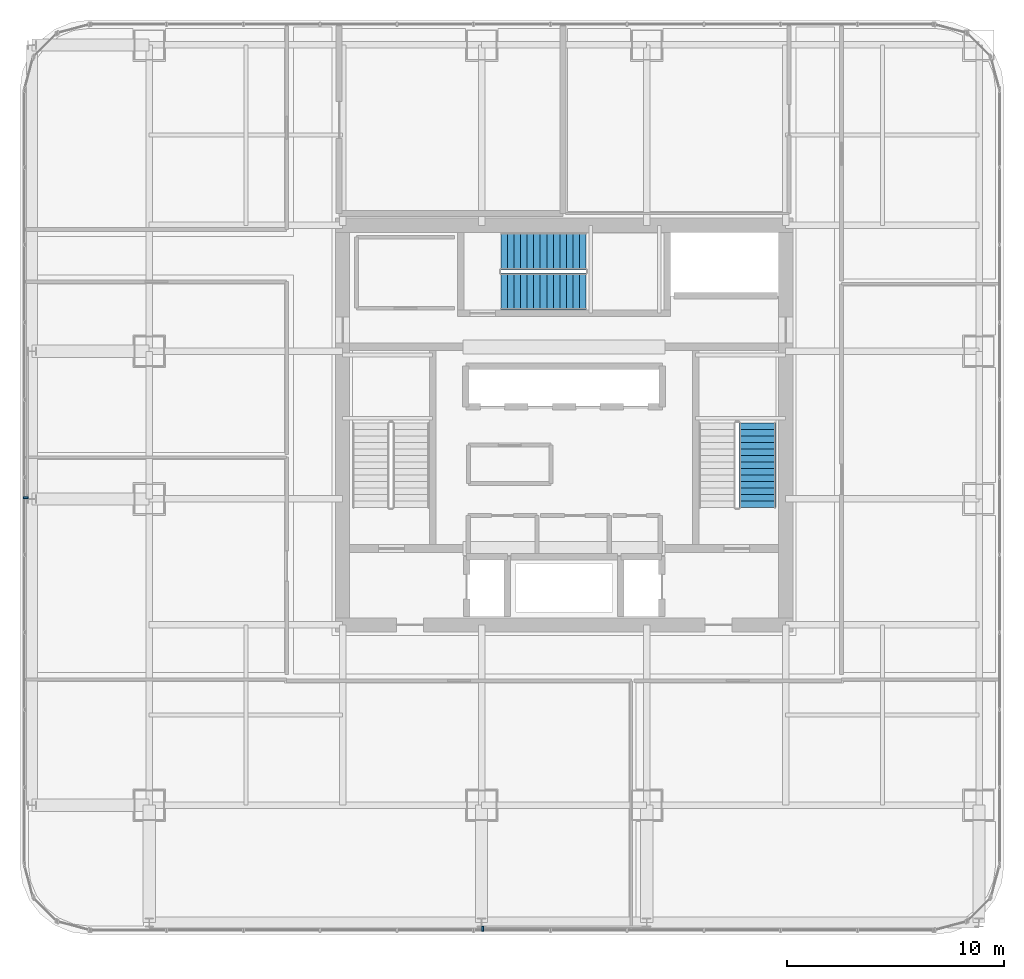
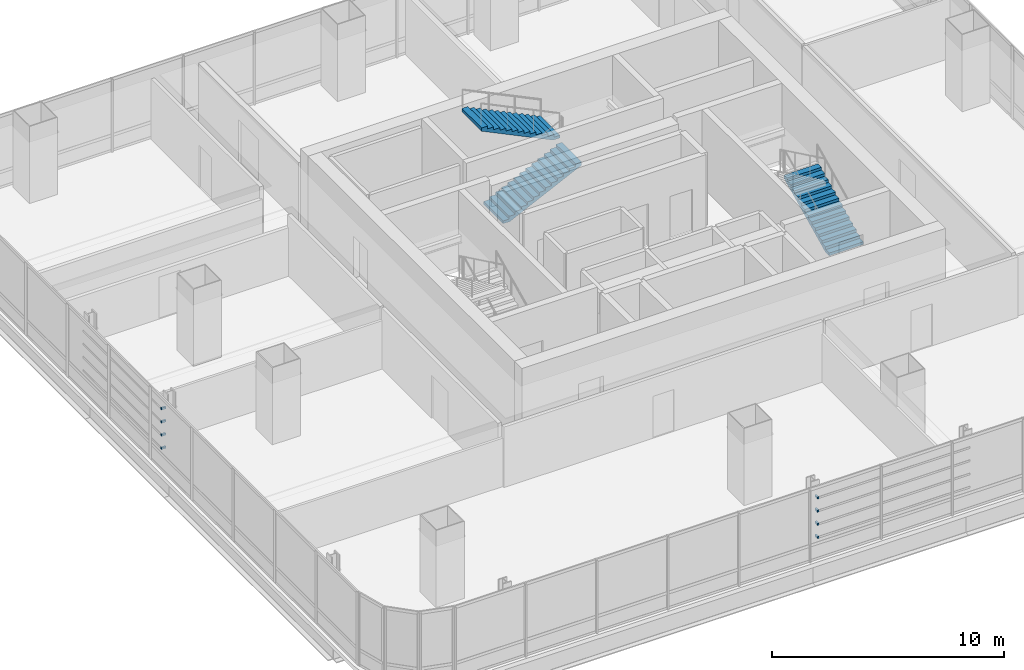
# One storey, part 31 of 36: 8 discrete accessories, 3 stair flights, 2 elements without a shape of their own.
"""IFC4 building model written with IfcOpenShell, lengths in metres."""

from ifc_helpers import new_model, si_unit, direction, frame, origin, origin_2d, place, context, subcontext, project, spatial, polyline, rectangle, outline, extrude, material, type_object, element, aggregate, save


model = new_model("IFC4")

# Units and contexts
model_context = context("Model", 3, precision=1e-05, world=origin(), true_north=direction((0.0, 1.0)))
body_context = subcontext(model_context, "Body", "Model", "MODEL_VIEW")
ifc_project = project(units=[si_unit("LENGTHUNIT", "METRE"), si_unit("AREAUNIT", "SQUARE_METRE"), si_unit("VOLUMEUNIT", "CUBIC_METRE"), si_unit("PLANEANGLEUNIT", "RADIAN"), si_unit("MASSUNIT", "GRAM", prefix="KILO")], contexts=[model_context])

# Site, building, storey
site_placement = place(None, origin())
site = spatial("IfcSite", under=ifc_project, at=site_placement, CompositionType="ELEMENT")
building_placement = place(site_placement, origin())
building = spatial("IfcBuilding", under=site, at=building_placement, Name="Punatoya Terracotta Tower", CompositionType="ELEMENT")
storey_placement = place(building_placement, frame((0.0, 0.0, 176.25)))
storey = spatial("IfcBuildingStorey", under=building, at=storey_placement, Name="L41", CompositionType="ELEMENT", Elevation=176.25)

# Stair, stair flight
ifc_material_1 = material(Name="Concrete C40/50", Category="concrete")
stair_type_1 = type_object("IfcStairType", Name="STR-LOB-1650", PredefinedType="HALF_TURN_STAIR", material=ifc_material_1)
stair_1_placement = place(storey_placement, origin())
stair_1 = element("IfcStair", 1, at=stair_1_placement, inside=storey, type_object=stair_type_1, Name="L41 Protected Core Exit Stair ST-2", PredefinedType="HALF_TURN_STAIR")
stair_flight_type_1 = type_object("IfcStairFlightType", Name="SFL-LOB-1650", PredefinedType="STRAIGHT", material=ifc_material_1)
stair_flight_1_placement = place(storey_placement, frame((8.89990234375, -3.800048828125, 0.0), z_axis=(0.0, 0.0, 1.0), x_axis=(0.0, 1.0, 0.0)))
stair_flight_1 = element("IfcStairFlight", 2, at=stair_flight_1_placement, type_object=stair_flight_type_1, Name="ST-2 flight 1", NumberOfRisers=14, NumberOfTreads=13, PredefinedType="STRAIGHT", RiserHeight=0.144642857, TreadLength=0.3, context=body_context, shape_type="SweptSolid", body=[
    extrude(outline(polyline([(0.0, 0.0), (0.0, 0.14453125), (0.300048828125, 0.14453125), (0.300048828125, 0.289306640625), (0.60009765625, 0.289306640625), (0.60009765625, 0.433837890625), (0.89990234375, 0.433837890625), (0.89990234375, 0.57861328125), (1.199951171875, 0.57861328125), (1.199951171875, 0.72314453125), (1.5, 0.72314453125), (1.5, 0.867919921875), (1.800048828125, 0.867919921875), (1.800048828125, 1.012451171875), (2.10009765625, 1.012451171875), (2.10009765625, 1.1572265625), (2.39990234375, 1.1572265625), (2.39990234375, 1.3017578125), (2.699951171875, 1.3017578125), (2.699951171875, 1.446533203125), (3.0, 1.446533203125), (3.0, 1.591064453125), (3.300048828125, 1.591064453125), (3.300048828125, 1.735595703125), (3.60009765625, 1.735595703125), (3.60009765625, 1.88037109375), (3.89990234375, 1.88037109375), (3.89990234375, 2.02490234375), (3.89990234375, 1.7138671875), (0.34521484375, 0.0), (0.0, 0.0)])), frame((0.0, 0.85009765625, 0.0), z_axis=(0.0, -1.0, 0.0), x_axis=(1.0, 0.0, 0.0)), (0.0, 0.0, 1.0), 1.699951171875),
])
aggregate(stair_1, [stair_flight_1])

# Stair, stair flights
stair_type_2 = type_object("IfcStairType", Name="STR-TER-1450", PredefinedType="HALF_TURN_STAIR", material=ifc_material_1)
stair_2_placement = place(storey_placement, origin())
stair_2 = element("IfcStair", 3, at=stair_2_placement, inside=storey, type_object=stair_type_2, Name="L41 Protected Core Exit Stair ST-3", PredefinedType="HALF_TURN_STAIR")
stair_flight_type_2 = type_object("IfcStairFlightType", Name="SFL-TER-1450", PredefinedType="STRAIGHT", material=ifc_material_1)
stair_flight_2_placement = place(storey_placement, frame((-2.89990234375, 6.14990234375, 0.0), z_axis=(0.0, 0.0, 1.0), x_axis=(1.0, 0.0, 0.0)))
stair_flight_2 = element("IfcStairFlight", 4, at=stair_flight_2_placement, type_object=stair_flight_type_2, Name="ST-3 flight 1", NumberOfRisers=14, NumberOfTreads=13, PredefinedType="STRAIGHT", RiserHeight=0.144642857, TreadLength=0.3, context=body_context, shape_type="SweptSolid", body=[
    extrude(outline(polyline([(0.0, 0.0), (0.0, 0.14453125), (0.300048828125, 0.14453125), (0.300048828125, 0.289306640625), (0.60009765625, 0.289306640625), (0.60009765625, 0.433837890625), (0.89990234375, 0.433837890625), (0.89990234375, 0.57861328125), (1.199951171875, 0.57861328125), (1.199951171875, 0.72314453125), (1.5, 0.72314453125), (1.5, 0.867919921875), (1.800048828125, 0.867919921875), (1.800048828125, 1.012451171875), (2.10009765625, 1.012451171875), (2.10009765625, 1.1572265625), (2.39990234375, 1.1572265625), (2.39990234375, 1.3017578125), (2.699951171875, 1.3017578125), (2.699951171875, 1.446533203125), (3.0, 1.446533203125), (3.0, 1.591064453125), (3.300048828125, 1.591064453125), (3.300048828125, 1.735595703125), (3.60009765625, 1.735595703125), (3.60009765625, 1.88037109375), (3.89990234375, 1.88037109375), (3.89990234375, 2.02490234375), (3.89990234375, 1.7138671875), (0.34521484375, 0.0), (0.0, 0.0)])), frame((0.0, 0.85009765625, 0.0), z_axis=(0.0, -1.0, 0.0), x_axis=(1.0, 0.0, 0.0)), (0.0, 0.0, 1.0), 1.699951171875),
])
stair_flight_3_placement = place(storey_placement, frame((1.0, 8.0, 2.02490234375), z_axis=(0.0, 0.0, 1.0), x_axis=(-1.0, 0.0, 0.0)))
stair_flight_3 = element("IfcStairFlight", 5, at=stair_flight_3_placement, type_object=stair_flight_type_2, Name="ST-3 flight 2", NumberOfRisers=14, NumberOfTreads=13, PredefinedType="STRAIGHT", RiserHeight=0.144642857, TreadLength=0.3, context=body_context, shape_type="SweptSolid", body=[
    extrude(outline(polyline([(0.0, 0.0), (0.0, 0.14453125), (0.300048828125, 0.14453125), (0.300048828125, 0.289306640625), (0.60009765625, 0.289306640625), (0.60009765625, 0.433837890625), (0.89990234375, 0.433837890625), (0.89990234375, 0.57861328125), (1.199951171875, 0.57861328125), (1.199951171875, 0.72314453125), (1.5, 0.72314453125), (1.5, 0.867919921875), (1.800048828125, 0.867919921875), (1.800048828125, 1.012451171875), (2.10009765625, 1.012451171875), (2.10009765625, 1.1572265625), (2.39990234375, 1.1572265625), (2.39990234375, 1.3017578125), (2.699951171875, 1.3017578125), (2.699951171875, 1.446533203125), (3.0, 1.446533203125), (3.0, 1.591064453125), (3.300048828125, 1.591064453125), (3.300048828125, 1.735595703125), (3.60009765625, 1.735595703125), (3.60009765625, 1.88037109375), (3.89990234375, 1.88037109375), (3.89990234375, 2.02490234375), (3.89990234375, 1.7138671875), (0.34521484375, 0.0), (0.0, 0.0)])), frame((0.0, 0.85009765625, 0.0), z_axis=(0.0, -1.0, 0.0), x_axis=(1.0, 0.0, 0.0)), (0.0, 0.0, 1.0), 1.699951171875),
])
aggregate(stair_2, [stair_flight_2, stair_flight_3])

# Discrete accessories
ifc_material_2 = material(Name="Steel S355", Category="steel")
discrete_accessory_type = type_object("IfcDiscreteAccessoryType", Name="ACC-BRK-220", PredefinedType="BRACKET", material=ifc_material_2)
for number, where, z_axis, x_axis, name in (
    (6, (-3.75, -23.1826171875, 1.099853515625), (0.0, 0.0, 1.0), (1.0, 0.0, 0.0), "L41 Baguette Louvre Column Bracket BAG-L41-S-01"),
    (7, (-3.75, -23.1826171875, 1.793212890625), (0.0, 0.0, 1.0), (1.0, 0.0, 0.0), "L41 Baguette Louvre Column Bracket BAG-L41-S-02"),
    (8, (-3.75, -23.1826171875, 2.486572265625), (0.0, 0.0, 1.0), (1.0, 0.0, 0.0), "L41 Baguette Louvre Column Bracket BAG-L41-S-03"),
    (9, (-3.75, -23.1826171875, 3.179931640625), (0.0, 0.0, 1.0), (1.0, 0.0, 0.0), "L41 Baguette Louvre Column Bracket BAG-L41-S-04"),
    (10, (-24.782470703125, -3.35009765625, 1.099853515625), (0.0, 0.0, 1.0), (0.0, 1.0, 0.0), "L41 Baguette Louvre Column Bracket BAG-L41-W-01"),
    (11, (-24.782470703125, -3.35009765625, 1.793212890625), (0.0, 0.0, 1.0), (0.0, 1.0, 0.0), "L41 Baguette Louvre Column Bracket BAG-L41-W-02"),
    (12, (-24.782470703125, -3.35009765625, 2.486572265625), (0.0, 0.0, 1.0), (0.0, 1.0, 0.0), "L41 Baguette Louvre Column Bracket BAG-L41-W-03"),
    (13, (-24.782470703125, -3.35009765625, 3.179931640625), (0.0, 0.0, 1.0), (0.0, 1.0, 0.0), "L41 Baguette Louvre Column Bracket BAG-L41-W-04"),
):
    element("IfcDiscreteAccessory", number, at=place(storey_placement, frame(where, z_axis=z_axis, x_axis=x_axis)), inside=storey, type_object=discrete_accessory_type, Name=name, PredefinedType="BRACKET", context=body_context, shape_type="SweptSolid", body=[
        extrude(rectangle(XDim=0.090087890625, YDim=0.219970703125, at=origin_2d()), origin(), (0.0, 0.0, 1.0), 0.10009765625),
    ])

save(model, "model.ifc")
